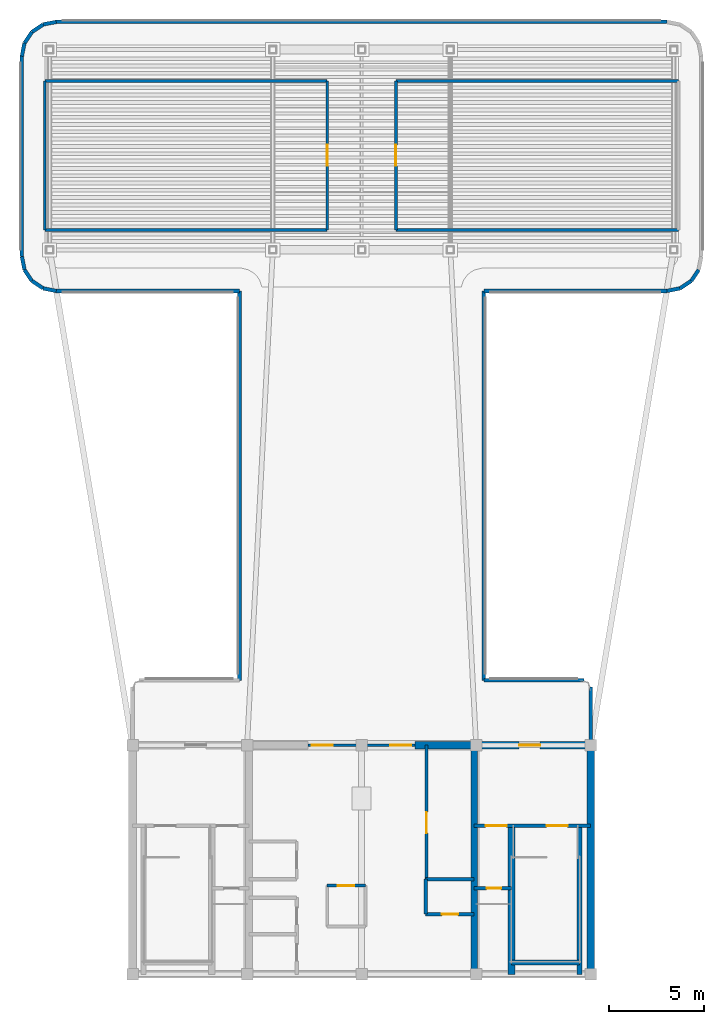
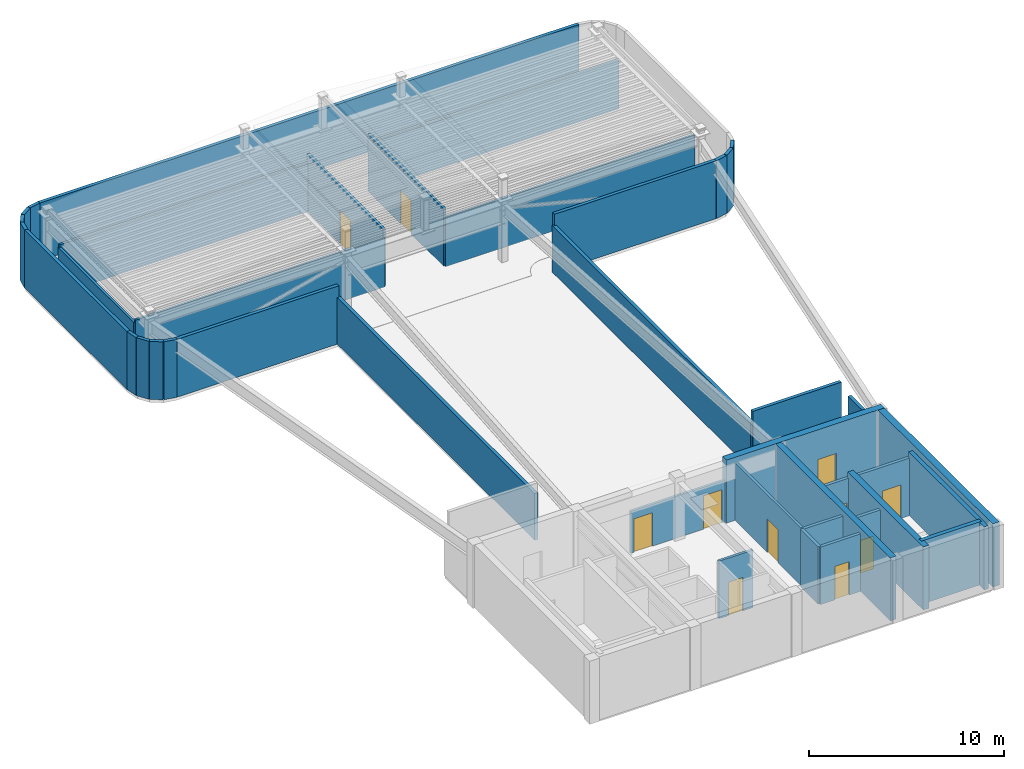
# One storey, part 5 of 7: 40 walls, 11 doors, 11 openings.
"""IFC4 building model written with IfcOpenShell, lengths in metres."""

from ifc_helpers import new_model, si_unit, direction, frame, frame_2d, origin, origin_2d, place, context, subcontext, project, spatial, rectangle, extrude, source, transform, mapped, material, layer, layer_set, type_object, element, fill, save


model = new_model("IFC4")

# Units and contexts
model_context = context("Model", 3, precision=1e-05, world=origin(), true_north=direction((0.0, 1.0)))
body_context = subcontext(model_context, "Body", "Model", "MODEL_VIEW")
ifc_project = project(units=[si_unit("LENGTHUNIT", "METRE"), si_unit("AREAUNIT", "SQUARE_METRE"), si_unit("VOLUMEUNIT", "CUBIC_METRE"), si_unit("PLANEANGLEUNIT", "RADIAN"), si_unit("MASSUNIT", "GRAM", prefix="KILO")], contexts=[model_context])

# Site, building, storey
site_placement = place(None, origin())
site = spatial("IfcSite", under=ifc_project, at=site_placement, CompositionType="ELEMENT")
building_placement = place(site_placement, origin())
building = spatial("IfcBuilding", under=site, at=building_placement, Name="Brelvock Crest Care Tower", CompositionType="ELEMENT")
storey_placement = place(building_placement, frame((0.0, 0.0, 315.719970703125)))
storey = spatial("IfcBuildingStorey", under=building, at=storey_placement, Name="L80", CompositionType="ELEMENT", Elevation=315.719970703125)

# Wall
ifc_material_1 = material(Name="Concrete S65 (65 MPa)", Category="concrete")
ifc_layer_1 = layer(ifc_material_1, 0.39990234375, Name="WL-CS4")
ifc_layer_set_1 = layer_set([ifc_layer_1], Name="Concrete S65 (65 MPa)")
wall_type_1 = type_object("IfcWallType", Name="WL-CS4", PredefinedType="SHEAR", material=ifc_layer_set_1)
wall_1_placement = place(storey_placement, frame((48.0, 18.0, 0.0), z_axis=(0.0, 0.0, 1.0), x_axis=(0.0, -1.0, 0.0)))
element("IfcWall", 1, at=wall_1_placement, inside=storey, type_object=wall_type_1, Name="L80 Core East Shear Wall", PredefinedType="SHEAR", context=body_context, shape_type="SweptSolid", body=[
    extrude(rectangle(XDim=12.0, YDim=0.39990234375, at=frame_2d((6.0, 0.0))), origin(), (0.0, 0.0, 1.0), 3.9599609375),
])

# Wall, opening, door
wall_2_placement = place(storey_placement, frame((38.800048828125, 18.0, 0.0), z_axis=(0.0, 0.0, 1.0), x_axis=(1.0, 0.0, 0.0)))
wall_2 = element("IfcWall", 2, at=wall_2_placement, inside=storey, type_object=wall_type_1, Name="L80 Core North-East Shear Wall", PredefinedType="SHEAR", context=body_context, shape_type="SweptSolid", body=[
    extrude(rectangle(XDim=9.39990234375, YDim=0.39990234375, at=frame_2d((4.699951171875, 0.0))), origin(), (0.0, 0.0, 1.0), 3.9599609375),
])
opening_1_placement = place(wall_2_placement, frame((5.449951171875, 0.0, 0.0)))
opening_1 = element("IfcOpeningElement", 3, at=opening_1_placement, cuts=wall_2, Name="Opening FD-1", PredefinedType="OPENING", context=body_context, shape_type="SweptSolid", body=[
    extrude(rectangle(XDim=1.10009765625, YDim=2.10009765625, at=origin_2d()), frame((0.550048828125, 0.2099609375, 1.050048828125), z_axis=(0.0, -1.0, 0.0), x_axis=(1.0, 0.0, 0.0)), (0.0, 0.0, 1.0), 0.419921875),
])
ifc_material_2 = material(Name="Steel Grade 350", Category="steel")
door_type_1 = type_object("IfcDoorType", Name="DR-FFL1", OperationType="NOTDEFINED", PredefinedType="DOOR", material=ifc_material_2)
shared_shape_1 = source(origin(), body_context, "Body", "SweptSolid", [
    extrude(rectangle(XDim=1.10009765625, YDim=2.10009765625, at=origin_2d()), frame((0.550048828125, 0.02490234375, 1.050048828125), z_axis=(0.0, -1.0, 0.0), x_axis=(1.0, 0.0, 0.0)), (0.0, 0.0, 1.0), 0.050048828125),
])
door_1_placement = place(opening_1_placement, origin())
door_1 = element("IfcDoor", 4, at=door_1_placement, inside=storey, type_object=door_type_1, Name="L80 Firefighting Lobby FFL-2 Exit Door", OperationType="SINGLE_SWING_RIGHT", OverallHeight=2.10009765625, OverallWidth=1.10009765625, PredefinedType="DOOR", context=body_context, shape_type="MappedRepresentation", body=[
    mapped(shared_shape_1, transform((0.0, 0.0, 0.0), x_axis=(1.0, 0.0, 0.0), y_axis=(0.0, 1.0, 0.0), z_axis=(0.0, 0.0, 1.0), scale=1.0)),
])
fill(opening_1, door_1)

# Walls
ifc_material_3 = material(Name="Concrete S80 (80 MPa)", Category="concrete")
ifc_layer_2 = layer(ifc_material_3, 0.35009765625, Name="WL-CS5")
ifc_layer_set_2 = layer_set([ifc_layer_2], Name="Concrete S80 (80 MPa)")
wall_type_2 = type_object("IfcWallType", Name="WL-CS5", PredefinedType="SHEAR", material=ifc_layer_set_2)
wall_3_placement = place(storey_placement, frame((41.89990234375, 18.0, 0.0), z_axis=(0.0, 0.0, 1.0), x_axis=(0.0, -1.0, 0.0)))
element("IfcWall", 5, at=wall_3_placement, inside=storey, type_object=wall_type_2, Name="L80 Core Internal Web Wall East", PredefinedType="SHEAR", context=body_context, shape_type="SweptSolid", body=[
    extrude(rectangle(XDim=12.0, YDim=0.35009765625, at=frame_2d((6.0, 0.0))), origin(), (0.0, 0.0, 1.0), 3.9599609375),
])
wall_4_placement = place(storey_placement, frame((43.85009765625, 6.0, 0.0), z_axis=(0.0, 0.0, 1.0), x_axis=(0.0, 1.0, 0.0)))
element("IfcWall", 6, at=wall_4_placement, inside=storey, type_object=wall_type_2, Name="L80 Core Stair ST-2 West Shear Wall", PredefinedType="SHEAR", context=body_context, shape_type="SweptSolid", body=[
    extrude(rectangle(XDim=7.780029296875, YDim=0.35009765625, at=frame_2d((3.89013671875, 0.0))), origin(), (0.0, 0.0, 1.0), 3.9599609375),
])
ifc_layer_3 = layer(ifc_material_3, 0.25, Name="WL-CS6")
ifc_layer_set_3 = layer_set([ifc_layer_3], Name="Concrete S80 (80 MPa)")
wall_type_3 = type_object("IfcWallType", Name="WL-CS6", PredefinedType="SHEAR", material=ifc_layer_set_3)
wall_5_placement = place(storey_placement, frame((47.419921875, 6.0, 0.0), z_axis=(0.0, 0.0, 1.0), x_axis=(0.0, 1.0, 0.0)))
element("IfcWall", 7, at=wall_5_placement, inside=storey, type_object=wall_type_3, Name="L80 Core Stair ST-2 East Shear Wall", PredefinedType="SHEAR", context=body_context, shape_type="SweptSolid", body=[
    extrude(rectangle(XDim=7.780029296875, YDim=0.25, at=frame_2d((3.89013671875, 0.0))), origin(), (0.0, 0.0, 1.0), 3.9599609375),
])
wall_6_placement = place(storey_placement, frame((43.85009765625, 6.6201171875, 0.0), z_axis=(0.0, 0.0, 1.0), x_axis=(1.0, 0.0, 0.0)))
element("IfcWall", 8, at=wall_6_placement, inside=storey, type_object=wall_type_3, Name="L80 Core Stair ST-2 South Shear Wall", PredefinedType="SHEAR", context=body_context, shape_type="SweptSolid", body=[
    extrude(rectangle(XDim=3.56982421875, YDim=0.25, at=frame_2d((1.784912109375, 0.0))), origin(), (0.0, 0.0, 1.0), 3.9599609375),
])
ifc_material_4 = material(Name="Precast concrete N40 (40 MPa)", Category="concrete")
ifc_layer_4 = layer(ifc_material_4, 0.195068359375, Name="WL-EX3")
ifc_layer_set_4 = layer_set([ifc_layer_4], Name="Precast concrete N40 (40 MPa)")
wall_type_4 = type_object("IfcWallType", Name="WL-EX3", PredefinedType="SOLIDWALL", material=ifc_layer_set_4)
wall_7_placement = place(storey_placement, frame((48.0, 21.050048828125, 0.0), z_axis=(0.0, 0.0, 1.0), x_axis=(0.0, -1.0, 0.0)))
element("IfcWall", 9, at=wall_7_placement, inside=storey, type_object=wall_type_4, Name="L80 Crown and Plant Cladding Wall 02", PredefinedType="SOLIDWALL", context=body_context, shape_type="SweptSolid", body=[
    extrude(rectangle(XDim=2.77001953125, YDim=0.195068359375, at=frame_2d((1.385009765625, 0.0))), origin(), (0.0, 0.0, 1.0), 2.828125),
])
wall_8_placement = place(storey_placement, frame((29.60009765625, 21.39990234375, 0.0), z_axis=(0.0, 0.0, 1.0), x_axis=(0.0, 1.0, 0.0)))
element("IfcWall", 10, at=wall_8_placement, inside=storey, type_object=wall_type_4, Name="L80 Crown and Plant Cladding Wall 12", PredefinedType="SOLIDWALL", context=body_context, shape_type="SweptSolid", body=[
    extrude(rectangle(XDim=20.400146484375, YDim=0.195068359375, at=frame_2d((10.2001953125, 0.0))), origin(), (0.0, 0.0, 1.0), 2.927978515625),
])
wall_9_placement = place(storey_placement, frame((29.60009765625, 41.800048828125, 0.0), z_axis=(0.0, 0.0, 1.0), x_axis=(-1.0, 0.0, 0.0)))
element("IfcWall", 11, at=wall_9_placement, inside=storey, type_object=wall_type_4, Name="L80 Crown and Plant Cladding Wall 13", PredefinedType="SOLIDWALL", context=body_context, shape_type="SweptSolid", body=[
    extrude(rectangle(XDim=9.60009765625, YDim=0.195068359375, at=frame_2d((4.800048828125, 0.0))), origin(), (0.0, 0.0, 1.0), 3.64013671875),
])
wall_10_placement = place(storey_placement, frame((20.0, 41.800048828125, 0.0), z_axis=(0.0, 0.0, 1.0), x_axis=(-0.980794046625, 0.195046246068, 0.0)))
element("IfcWall", 12, at=wall_10_placement, inside=storey, type_object=wall_type_4, Name="L80 Crown and Plant Cladding Wall 14", PredefinedType="SOLIDWALL", context=body_context, shape_type="SweptSolid", body=[
    extrude(rectangle(XDim=0.7021484375, YDim=0.195068359375, at=frame_2d((0.35107421875, 0.0))), origin(), (0.0, 0.0, 1.0), 3.64013671875),
])
for number, where, z_axis, x_axis, name in (
    (13, (19.311279296875, 41.93701171875, 0.0), (0.0, 0.0, 1.0), (-0.831515102434, 0.555502146192, 0.0), "L80 Crown and Plant Cladding Wall 15"),
    (14, (18.727294921875, 42.3271484375, 0.0), (0.0, 0.0, 1.0), (-0.555742429414, 0.831354528555, 0.0), "L80 Crown and Plant Cladding Wall 16"),
    (15, (18.3369140625, 42.9111328125, 0.0), (0.0, 0.0, 1.0), (-0.194979757801, 0.980807266515, 0.0), "L80 Crown and Plant Cladding Wall 17"),
):
    element("IfcWall", number, at=place(storey_placement, frame(where, z_axis=z_axis, x_axis=x_axis)), inside=storey, type_object=wall_type_4, Name=name, PredefinedType="SOLIDWALL", context=body_context, shape_type="SweptSolid", body=[
        extrude(rectangle(XDim=0.702392578125, YDim=0.195068359375, at=frame_2d((0.35107421875, 0.0))), origin(), (0.0, 0.0, 1.0), 3.64013671875),
    ])
wall_11_placement = place(storey_placement, frame((18.199951171875, 43.60009765625, 0.0), z_axis=(0.0, 0.0, 1.0), x_axis=(0.0, 1.0, 0.0)))
element("IfcWall", 16, at=wall_11_placement, inside=storey, type_object=wall_type_4, Name="L80 Crown and Plant Cladding Wall 18", PredefinedType="SOLIDWALL", context=body_context, shape_type="SweptSolid", body=[
    extrude(rectangle(XDim=10.5, YDim=0.195068359375, at=frame_2d((5.25, 0.0))), origin(), (0.0, 0.0, 1.0), 3.64013671875),
])
wall_12_placement = place(storey_placement, frame((18.199951171875, 54.10009765625, 0.0), z_axis=(0.0, 0.0, 1.0), x_axis=(0.195046246068, 0.980794046625, 0.0)))
element("IfcWall", 17, at=wall_12_placement, inside=storey, type_object=wall_type_4, Name="L80 Crown and Plant Cladding Wall 19", PredefinedType="SOLIDWALL", context=body_context, shape_type="SweptSolid", body=[
    extrude(rectangle(XDim=0.7021484375, YDim=0.195068359375, at=frame_2d((0.35107421875, 0.0))), origin(), (0.0, 0.0, 1.0), 3.64013671875),
])
for number, where, z_axis, x_axis, name in (
    (18, (18.3369140625, 54.788818359375, 0.0), (0.0, 0.0, 1.0), (0.555742429414, 0.831354528555, 0.0), "L80 Crown and Plant Cladding Wall 20"),
    (19, (18.727294921875, 55.372802734375, 0.0), (0.0, 0.0, 1.0), (0.831515102434, 0.555502146192, 0.0), "L80 Crown and Plant Cladding Wall 21"),
):
    element("IfcWall", number, at=place(storey_placement, frame(where, z_axis=z_axis, x_axis=x_axis)), inside=storey, type_object=wall_type_4, Name=name, PredefinedType="SOLIDWALL", context=body_context, shape_type="SweptSolid", body=[
        extrude(rectangle(XDim=0.702392578125, YDim=0.195068359375, at=frame_2d((0.35107421875, 0.0))), origin(), (0.0, 0.0, 1.0), 3.64013671875),
    ])
wall_13_placement = place(storey_placement, frame((19.311279296875, 55.762939453125, 0.0), z_axis=(0.0, 0.0, 1.0), x_axis=(0.980794046625, 0.195046246068, 0.0)))
element("IfcWall", 20, at=wall_13_placement, inside=storey, type_object=wall_type_4, Name="L80 Crown and Plant Cladding Wall 22", PredefinedType="SOLIDWALL", context=body_context, shape_type="SweptSolid", body=[
    extrude(rectangle(XDim=0.7021484375, YDim=0.195068359375, at=frame_2d((0.35107421875, 0.0))), origin(), (0.0, 0.0, 1.0), 3.64013671875),
])
wall_14_placement = place(storey_placement, frame((20.0, 55.89990234375, 0.0), z_axis=(0.0, 0.0, 1.0), x_axis=(1.0, 0.0, 0.0)))
element("IfcWall", 21, at=wall_14_placement, inside=storey, type_object=wall_type_4, Name="L80 Crown and Plant Cladding Wall 23", PredefinedType="SOLIDWALL", context=body_context, shape_type="SweptSolid", body=[
    extrude(rectangle(XDim=32.0, YDim=0.195068359375, at=frame_2d((16.0, 0.0))), origin(), (0.0, 0.0, 1.0), 3.64013671875),
])
for number, where, z_axis, x_axis, name in (
    (22, (53.6630859375, 42.9111328125, 0.0), (0.0, 0.0, 1.0), (-0.555742429414, -0.831354528555, 0.0), "L80 Crown and Plant Cladding Wall 30"),
    (23, (53.272705078125, 42.3271484375, 0.0), (0.0, 0.0, 1.0), (-0.831515102434, -0.555502146192, 0.0), "L80 Crown and Plant Cladding Wall 31"),
):
    element("IfcWall", number, at=place(storey_placement, frame(where, z_axis=z_axis, x_axis=x_axis)), inside=storey, type_object=wall_type_4, Name=name, PredefinedType="SOLIDWALL", context=body_context, shape_type="SweptSolid", body=[
        extrude(rectangle(XDim=0.702392578125, YDim=0.195068359375, at=frame_2d((0.35107421875, 0.0))), origin(), (0.0, 0.0, 1.0), 3.64013671875),
    ])
wall_15_placement = place(storey_placement, frame((52.688720703125, 41.93701171875, 0.0), z_axis=(0.0, 0.0, 1.0), x_axis=(-0.980794046625, -0.195046246068, 0.0)))
element("IfcWall", 24, at=wall_15_placement, inside=storey, type_object=wall_type_4, Name="L80 Crown and Plant Cladding Wall 32", PredefinedType="SOLIDWALL", context=body_context, shape_type="SweptSolid", body=[
    extrude(rectangle(XDim=0.7021484375, YDim=0.195068359375, at=frame_2d((0.35107421875, 0.0))), origin(), (0.0, 0.0, 1.0), 3.64013671875),
])
wall_16_placement = place(storey_placement, frame((52.0, 41.800048828125, 0.0), z_axis=(0.0, 0.0, 1.0), x_axis=(-1.0, 0.0, 0.0)))
element("IfcWall", 25, at=wall_16_placement, inside=storey, type_object=wall_type_4, Name="L80 Crown and Plant Cladding Wall 33", PredefinedType="SOLIDWALL", context=body_context, shape_type="SweptSolid", body=[
    extrude(rectangle(XDim=9.60009765625, YDim=0.195068359375, at=frame_2d((4.800048828125, 0.0))), origin(), (0.0, 0.0, 1.0), 3.64013671875),
])
wall_17_placement = place(storey_placement, frame((42.39990234375, 41.800048828125, 0.0), z_axis=(0.0, 0.0, 1.0), x_axis=(0.0, -1.0, 0.0)))
element("IfcWall", 26, at=wall_17_placement, inside=storey, type_object=wall_type_4, Name="L80 Crown and Plant Cladding Wall 34", PredefinedType="SOLIDWALL", context=body_context, shape_type="SweptSolid", body=[
    extrude(rectangle(XDim=20.400146484375, YDim=0.195068359375, at=frame_2d((10.2001953125, 0.0))), origin(), (0.0, 0.0, 1.0), 2.927978515625),
])
wall_18_placement = place(storey_placement, frame((42.39990234375, 21.39990234375, 0.0), z_axis=(0.0, 0.0, 1.0), x_axis=(1.0, 0.0, 0.0)))
element("IfcWall", 27, at=wall_18_placement, inside=storey, type_object=wall_type_4, Name="L80 Crown and Plant Cladding Wall 35", PredefinedType="SOLIDWALL", context=body_context, shape_type="SweptSolid", body=[
    extrude(rectangle(XDim=5.25, YDim=0.195068359375, at=frame_2d((2.625, 0.0))), origin(), (0.0, 0.0, 1.0), 3.64013671875),
])

# Wall, opening, door
ifc_material_5 = material(Name="Masonry Blockwork Acoustic Partition", Category="masonry")
ifc_layer_5 = layer(ifc_material_5, 0.14990234375, Name="WL-INT1")
ifc_layer_set_5 = layer_set([ifc_layer_5], Name="Masonry Blockwork Acoustic Partition")
wall_type_5 = type_object("IfcWallType", Name="WL-INT1", PredefinedType="PARTITIONING", material=ifc_layer_set_5)
wall_19_placement = place(storey_placement, frame((34.199951171875, 10.64990234375, 0.0), z_axis=(0.0, 0.0, 1.0), x_axis=(1.0, 0.0, 0.0)))
wall_19 = element("IfcWall", 28, at=wall_19_placement, inside=storey, type_object=wall_type_5, Name="L80 Interior Wall WL-CRCM-N-L80", PredefinedType="PARTITIONING", context=body_context, shape_type="SweptSolid", body=[
    extrude(rectangle(XDim=2.0, YDim=0.14990234375, at=frame_2d((1.0, 0.0))), origin(), (0.0, 0.0, 1.0), 3.610107421875),
])
opening_2_placement = place(wall_19_placement, frame((0.550048828125, 0.0, 0.0)))
opening_2 = element("IfcOpeningElement", 29, at=opening_2_placement, cuts=wall_19, Name="Opening ID-1", PredefinedType="OPENING", context=body_context, shape_type="SweptSolid", body=[
    extrude(rectangle(XDim=0.860107421875, YDim=2.10009765625, at=origin_2d()), frame((0.43017578125, 0.0849609375, 1.050048828125), z_axis=(0.0, -1.0, 0.0), x_axis=(1.0, 0.0, 0.0)), (0.0, 0.0, 1.0), 0.169921875),
])
ifc_material_6 = material(Name="Engineered Hardwood Timber", Category="wood")
door_type_2 = type_object("IfcDoorType", Name="DR-INT1", OperationType="NOTDEFINED", PredefinedType="DOOR", material=ifc_material_6)
shared_shape_2 = source(origin(), body_context, "Body", "SweptSolid", [
    extrude(rectangle(XDim=0.860107421875, YDim=2.10009765625, at=origin_2d()), frame((0.43017578125, 0.02490234375, 1.050048828125), z_axis=(0.0, -1.0, 0.0), x_axis=(1.0, 0.0, 0.0)), (0.0, 0.0, 1.0), 0.050048828125),
])
door_2_placement = place(opening_2_placement, origin())
door_2 = element("IfcDoor", 30, at=door_2_placement, inside=storey, type_object=door_type_2, Name="DR-CRCM1-L80", OperationType="SINGLE_SWING_LEFT", OverallHeight=2.10009765625, OverallWidth=0.860107421875, PredefinedType="DOOR", context=body_context, shape_type="MappedRepresentation", body=[
    mapped(shared_shape_2, transform((0.0, 0.0, 0.0), x_axis=(1.0, 0.0, 0.0), y_axis=(0.0, 1.0, 0.0), z_axis=(0.0, 0.0, 1.0), scale=1.0)),
])
fill(opening_2, door_2)

wall_20_placement = place(storey_placement, frame((39.39990234375, 11.0, 0.0), z_axis=(0.0, 0.0, 1.0), x_axis=(0.0, 1.0, 0.0)))
wall_20 = element("IfcWall", 31, at=wall_20_placement, inside=storey, type_object=wall_type_5, Name="L80 Interior Wall WL-CRCH-W-L80", PredefinedType="PARTITIONING", context=body_context, shape_type="SweptSolid", body=[
    extrude(rectangle(XDim=7.0, YDim=0.14990234375, at=frame_2d((3.5, 0.0))), origin(), (0.0, 0.0, 1.0), 3.610107421875),
])
opening_3_placement = place(wall_20_placement, frame((2.39990234375, 0.0, 0.0)))
opening_3 = element("IfcOpeningElement", 32, at=opening_3_placement, cuts=wall_20, Name="Opening PD-1", PredefinedType="OPENING", context=body_context, shape_type="SweptSolid", body=[
    extrude(rectangle(XDim=1.10009765625, YDim=2.10009765625, at=origin_2d()), frame((0.550048828125, 0.0849609375, 1.050048828125), z_axis=(0.0, -1.0, 0.0), x_axis=(1.0, 0.0, 0.0)), (0.0, 0.0, 1.0), 0.169921875),
])
door_type_3 = type_object("IfcDoorType", Name="DR-PLT1", OperationType="NOTDEFINED", PredefinedType="DOOR", material=ifc_material_2)
shared_shape_3 = source(origin(), body_context, "Body", "SweptSolid", [
    extrude(rectangle(XDim=1.10009765625, YDim=2.10009765625, at=origin_2d()), frame((0.550048828125, 0.02490234375, 1.050048828125), z_axis=(0.0, -1.0, 0.0), x_axis=(1.0, 0.0, 0.0)), (0.0, 0.0, 1.0), 0.050048828125),
])
door_3_placement = place(opening_3_placement, origin())
door_3 = element("IfcDoor", 33, at=door_3_placement, inside=storey, type_object=door_type_3, Name="DR-CRCH-L80", OperationType="SINGLE_SWING_RIGHT", OverallHeight=2.10009765625, OverallWidth=1.10009765625, PredefinedType="DOOR", context=body_context, shape_type="MappedRepresentation", body=[
    mapped(shared_shape_3, transform((0.0, 0.0, 0.0), x_axis=(1.0, 0.0, 0.0), y_axis=(0.0, 1.0, 0.0), z_axis=(0.0, 0.0, 1.0), scale=1.0)),
])
fill(opening_3, door_3)

# Wall, openings, doors
wall_21_placement = place(storey_placement, frame((33.199951171875, 18.0, 0.0), z_axis=(0.0, 0.0, 1.0), x_axis=(1.0, 0.0, 0.0)))
wall_21 = element("IfcWall", 34, at=wall_21_placement, inside=storey, type_object=wall_type_5, Name="L80 Interior Wall WL-CORE-NPORT-L80", PredefinedType="PARTITIONING", context=body_context, shape_type="SweptSolid", body=[
    extrude(rectangle(XDim=5.60009765625, YDim=0.14990234375, at=frame_2d((2.800048828125, 0.0))), origin(), (0.0, 0.0, 1.0), 2.625),
])
opening_4_placement = place(wall_21_placement, frame((0.18994140625, 0.0, 0.0)))
opening_4 = element("IfcOpeningElement", 35, at=opening_4_placement, cuts=wall_21, Name="Opening FD-1", PredefinedType="OPENING", context=body_context, shape_type="SweptSolid", body=[
    extrude(rectangle(XDim=1.10009765625, YDim=2.10009765625, at=origin_2d()), frame((0.550048828125, 0.0849609375, 1.050048828125), z_axis=(0.0, -1.0, 0.0), x_axis=(1.0, 0.0, 0.0)), (0.0, 0.0, 1.0), 0.169921875),
])
opening_5_placement = place(wall_21_placement, frame((4.31005859375, 0.0, 0.0)))
opening_5 = element("IfcOpeningElement", 36, at=opening_5_placement, cuts=wall_21, Name="Opening FD-1", PredefinedType="OPENING", context=body_context, shape_type="SweptSolid", body=[
    extrude(rectangle(XDim=1.10009765625, YDim=2.10009765625, at=origin_2d()), frame((0.550048828125, 0.0849609375, 1.050048828125), z_axis=(0.0, -1.0, 0.0), x_axis=(1.0, 0.0, 0.0)), (0.0, 0.0, 1.0), 0.169921875),
])
door_4_placement = place(opening_4_placement, origin())
door_4 = element("IfcDoor", 37, at=door_4_placement, inside=storey, type_object=door_type_1, Name="L80 Lift Lobby North Smoke Door West", OperationType="SINGLE_SWING_LEFT", OverallHeight=2.10009765625, OverallWidth=1.10009765625, PredefinedType="DOOR", context=body_context, shape_type="MappedRepresentation", body=[
    mapped(shared_shape_1, transform((0.0, 0.0, 0.0), x_axis=(1.0, 0.0, 0.0), y_axis=(0.0, 1.0, 0.0), z_axis=(0.0, 0.0, 1.0), scale=1.0)),
])
fill(opening_4, door_4)
door_5_placement = place(opening_5_placement, origin())
door_5 = element("IfcDoor", 38, at=door_5_placement, inside=storey, type_object=door_type_1, Name="L80 Lift Lobby North Smoke Door East", OperationType="SINGLE_SWING_RIGHT", OverallHeight=2.10009765625, OverallWidth=1.10009765625, PredefinedType="DOOR", context=body_context, shape_type="MappedRepresentation", body=[
    mapped(shared_shape_1, transform((0.0, 0.0, 0.0), x_axis=(1.0, 0.0, 0.0), y_axis=(0.0, 1.0, 0.0), z_axis=(0.0, 0.0, 1.0), scale=1.0)),
])
fill(opening_5, door_5)

# Walls
for number, where, z_axis, x_axis, name in (
    (39, (19.39990234375, 45.0, 0.0), (0.0, 0.0, 1.0), (1.0, 0.0, 0.0), "L80 Interior Wall WL-BX-L80-CRMW-S"),
    (40, (37.800048828125, 45.0, 0.0), (0.0, 0.0, 1.0), (1.0, 0.0, 0.0), "L80 Interior Wall WL-BX-L80-CRME-S"),
    (41, (19.39990234375, 52.800048828125, 0.0), (0.0, 0.0, 1.0), (1.0, 0.0, 0.0), "L80 Interior Wall WL-BX-L80-CRMW-N"),
    (42, (37.800048828125, 52.800048828125, 0.0), (0.0, 0.0, 1.0), (1.0, 0.0, 0.0), "L80 Interior Wall WL-BX-L80-CRME-N"),
):
    element("IfcWall", number, at=place(storey_placement, frame(where, z_axis=z_axis, x_axis=x_axis)), inside=storey, type_object=wall_type_5, Name=name, PredefinedType="PARTITIONING", context=body_context, shape_type="SweptSolid", body=[
        extrude(rectangle(XDim=14.800048828125, YDim=0.14990234375, at=frame_2d((7.39990234375, 0.0))), origin(), (0.0, 0.0, 1.0), 3.092041015625),
    ])
wall_22_placement = place(storey_placement, frame((19.39990234375, 45.0, 0.0), z_axis=(0.0, 0.0, 1.0), x_axis=(0.0, 1.0, 0.0)))
element("IfcWall", 43, at=wall_22_placement, inside=storey, type_object=wall_type_5, Name="L80 Interior Wall WL-BX-L80-CRMW-W", PredefinedType="PARTITIONING", context=body_context, shape_type="SweptSolid", body=[
    extrude(rectangle(XDim=7.800048828125, YDim=0.14990234375, at=frame_2d((3.89990234375, 0.0))), origin(), (0.0, 0.0, 1.0), 2.925048828125),
])

# Wall, opening, door
wall_23_placement = place(storey_placement, frame((34.199951171875, 45.0, 0.0), z_axis=(0.0, 0.0, 1.0), x_axis=(0.0, 1.0, 0.0)))
wall_23 = element("IfcWall", 44, at=wall_23_placement, inside=storey, type_object=wall_type_5, Name="L80 Interior Wall WL-RM-L80-CRMW", PredefinedType="PARTITIONING", context=body_context, shape_type="SweptSolid", body=[
    extrude(rectangle(XDim=7.800048828125, YDim=0.14990234375, at=frame_2d((3.89990234375, 0.0))), origin(), (0.0, 0.0, 1.0), 3.610107421875),
])
opening_6_placement = place(wall_23_placement, frame((3.35009765625, 0.0, 0.0)))
opening_6 = element("IfcOpeningElement", 45, at=opening_6_placement, cuts=wall_23, Name="Opening PD-1", PredefinedType="OPENING", context=body_context, shape_type="SweptSolid", body=[
    extrude(rectangle(XDim=1.10009765625, YDim=2.10009765625, at=origin_2d()), frame((0.550048828125, 0.0849609375, 1.050048828125), z_axis=(0.0, -1.0, 0.0), x_axis=(1.0, 0.0, 0.0)), (0.0, 0.0, 1.0), 0.169921875),
])
door_6_placement = place(opening_6_placement, origin())
door_6 = element("IfcDoor", 46, at=door_6_placement, inside=storey, type_object=door_type_3, Name="L80 Lift Motor and Cooling Tower Plant Door CRMW", OperationType="SINGLE_SWING_LEFT", OverallHeight=2.10009765625, OverallWidth=1.10009765625, PredefinedType="DOOR", context=body_context, shape_type="MappedRepresentation", body=[
    mapped(shared_shape_3, transform((0.0, 0.0, 0.0), x_axis=(1.0, 0.0, 0.0), y_axis=(0.0, 1.0, 0.0), z_axis=(0.0, 0.0, 1.0), scale=1.0)),
])
fill(opening_6, door_6)

wall_24_placement = place(storey_placement, frame((37.800048828125, 45.0, 0.0), z_axis=(0.0, 0.0, 1.0), x_axis=(0.0, 1.0, 0.0)))
wall_24 = element("IfcWall", 47, at=wall_24_placement, inside=storey, type_object=wall_type_5, Name="L80 Interior Wall WL-RM-L80-CRME", PredefinedType="PARTITIONING", context=body_context, shape_type="SweptSolid", body=[
    extrude(rectangle(XDim=7.800048828125, YDim=0.14990234375, at=frame_2d((3.89990234375, 0.0))), origin(), (0.0, 0.0, 1.0), 3.610107421875),
])
opening_7_placement = place(wall_24_placement, frame((3.35009765625, 0.0, 0.0)))
opening_7 = element("IfcOpeningElement", 48, at=opening_7_placement, cuts=wall_24, Name="Opening PD-1", PredefinedType="OPENING", context=body_context, shape_type="SweptSolid", body=[
    extrude(rectangle(XDim=1.10009765625, YDim=2.10009765625, at=origin_2d()), frame((0.550048828125, 0.0849609375, 1.050048828125), z_axis=(0.0, -1.0, 0.0), x_axis=(1.0, 0.0, 0.0)), (0.0, 0.0, 1.0), 0.169921875),
])
door_7_placement = place(opening_7_placement, origin())
door_7 = element("IfcDoor", 49, at=door_7_placement, inside=storey, type_object=door_type_3, Name="L80 BMU Winch and Pressurisation Plant Door CRME", OperationType="SINGLE_SWING_LEFT", OverallHeight=2.10009765625, OverallWidth=1.10009765625, PredefinedType="DOOR", context=body_context, shape_type="MappedRepresentation", body=[
    mapped(shared_shape_3, transform((0.0, 0.0, 0.0), x_axis=(1.0, 0.0, 0.0), y_axis=(0.0, 1.0, 0.0), z_axis=(0.0, 0.0, 1.0), scale=1.0)),
])
fill(opening_7, door_7)

# Walls
ifc_layer_6 = layer(ifc_material_5, 0.179931640625, Name="WL-SHF1")
ifc_layer_set_6 = layer_set([ifc_layer_6], Name="Masonry Blockwork Acoustic Partition")
wall_type_6 = type_object("IfcWallType", Name="WL-SHF1", PredefinedType="PARTITIONING", material=ifc_layer_set_6)
wall_25_placement = place(storey_placement, frame((39.35009765625, 10.97998046875, 0.0), z_axis=(0.0, 0.0, 1.0), x_axis=(1.0, 0.0, 0.0)))
element("IfcWall", 50, at=wall_25_placement, inside=storey, type_object=wall_type_6, Name="L80 Interior Wall WL-CSBE-N-L80", PredefinedType="PARTITIONING", context=body_context, shape_type="SweptSolid", body=[
    extrude(rectangle(XDim=2.5498046875, YDim=0.179931640625, at=frame_2d((1.27490234375, 0.0))), origin(), (0.0, 0.0, 1.0), 3.610107421875),
])
wall_26_placement = place(storey_placement, frame((39.35009765625, 9.14990234375, 0.0), z_axis=(0.0, 0.0, 1.0), x_axis=(0.0, 1.0, 0.0)))
element("IfcWall", 51, at=wall_26_placement, inside=storey, type_object=wall_type_6, Name="L80 Interior Wall WL-CSBE-W-L80", PredefinedType="PARTITIONING", context=body_context, shape_type="SweptSolid", body=[
    extrude(rectangle(XDim=1.830078125, YDim=0.179931640625, at=frame_2d((0.9150390625, 0.0))), origin(), (0.0, 0.0, 1.0), 3.610107421875),
])

# Wall, opening, door
wall_27_placement = place(storey_placement, frame((39.35009765625, 9.14990234375, 0.0), z_axis=(0.0, 0.0, 1.0), x_axis=(1.0, 0.0, 0.0)))
wall_27 = element("IfcWall", 52, at=wall_27_placement, inside=storey, type_object=wall_type_6, Name="L80 Interior Wall WL-CSBE-S-L80", PredefinedType="PARTITIONING", context=body_context, shape_type="SweptSolid", body=[
    extrude(rectangle(XDim=2.5498046875, YDim=0.179931640625, at=frame_2d((1.27490234375, 0.0))), origin(), (0.0, 0.0, 1.0), 3.610107421875),
])
opening_8_placement = place(wall_27_placement, frame((0.85009765625, 0.0, 0.0)))
opening_8 = element("IfcOpeningElement", 53, at=opening_8_placement, cuts=wall_27, Name="Opening ID-1", PredefinedType="OPENING", context=body_context, shape_type="SweptSolid", body=[
    extrude(rectangle(XDim=0.860107421875, YDim=2.10009765625, at=origin_2d()), frame((0.43017578125, 0.10009765625, 1.050048828125), z_axis=(0.0, -1.0, 0.0), x_axis=(1.0, 0.0, 0.0)), (0.0, 0.0, 1.0), 0.199951171875),
])
door_8_placement = place(opening_8_placement, origin())
door_8 = element("IfcDoor", 54, at=door_8_placement, inside=storey, type_object=door_type_2, Name="DR-CSBE-L80", OperationType="SINGLE_SWING_LEFT", OverallHeight=2.10009765625, OverallWidth=0.860107421875, PredefinedType="DOOR", context=body_context, shape_type="MappedRepresentation", body=[
    mapped(shared_shape_2, transform((0.0, 0.0, 0.0), x_axis=(1.0, 0.0, 0.0), y_axis=(0.0, 1.0, 0.0), z_axis=(0.0, 0.0, 1.0), scale=1.0)),
])
fill(opening_8, door_8)

# Wall, openings, doors
wall_28_placement = place(storey_placement, frame((41.89990234375, 13.780029296875, 0.0), z_axis=(0.0, 0.0, 1.0), x_axis=(1.0, 0.0, 0.0)))
wall_28 = element("IfcWall", 55, at=wall_28_placement, inside=storey, type_object=wall_type_6, Name="L80 Interior Wall WL-ST2-N-L80", PredefinedType="PARTITIONING", context=body_context, shape_type="SweptSolid", body=[
    extrude(rectangle(XDim=6.10009765625, YDim=0.179931640625, at=frame_2d((3.050048828125, 0.0))), origin(), (0.0, 0.0, 1.0), 3.610107421875),
])
opening_9_placement = place(wall_28_placement, frame((0.60009765625, 0.0, 0.0)))
opening_9 = element("IfcOpeningElement", 56, at=opening_9_placement, cuts=wall_28, Name="Opening LD", PredefinedType="OPENING", context=body_context, shape_type="SweptSolid", body=[
    extrude(rectangle(XDim=1.10009765625, YDim=2.10009765625, at=origin_2d()), frame((0.550048828125, 0.10009765625, 1.050048828125), z_axis=(0.0, -1.0, 0.0), x_axis=(1.0, 0.0, 0.0)), (0.0, 0.0, 1.0), 0.199951171875),
])
opening_10_placement = place(wall_28_placement, frame((3.800048828125, 0.0, 0.0)))
opening_10 = element("IfcOpeningElement", 57, at=opening_10_placement, cuts=wall_28, Name="Opening SD-1", PredefinedType="OPENING", context=body_context, shape_type="SweptSolid", body=[
    extrude(rectangle(XDim=1.10009765625, YDim=2.10009765625, at=origin_2d()), frame((0.550048828125, 0.10009765625, 1.050048828125), z_axis=(0.0, -1.0, 0.0), x_axis=(1.0, 0.0, 0.0)), (0.0, 0.0, 1.0), 0.199951171875),
])
door_type_4 = type_object("IfcDoorType", Name="DR-ST1", OperationType="NOTDEFINED", PredefinedType="DOOR", material=ifc_material_2)
shared_shape_4 = source(origin(), body_context, "Body", "SweptSolid", [
    extrude(rectangle(XDim=1.10009765625, YDim=2.10009765625, at=origin_2d()), frame((0.550048828125, 0.02490234375, 1.050048828125), z_axis=(0.0, -1.0, 0.0), x_axis=(1.0, 0.0, 0.0)), (0.0, 0.0, 1.0), 0.050048828125),
])
door_9_placement = place(opening_10_placement, origin())
door_9 = element("IfcDoor", 58, at=door_9_placement, inside=storey, type_object=door_type_4, Name="L80 Fire Stair ST-2 Door", OperationType="SINGLE_SWING_RIGHT", OverallHeight=2.10009765625, OverallWidth=1.10009765625, PredefinedType="DOOR", context=body_context, shape_type="MappedRepresentation", body=[
    mapped(shared_shape_4, transform((0.0, 0.0, 0.0), x_axis=(1.0, 0.0, 0.0), y_axis=(0.0, 1.0, 0.0), z_axis=(0.0, 0.0, 1.0), scale=1.0)),
])
fill(opening_10, door_9)
door_type_5 = type_object("IfcDoorType", Name="DR-LD1", OperationType="NOTDEFINED", PredefinedType="DOOR", material=ifc_material_2)
shared_shape_5 = source(origin(), body_context, "Body", "SweptSolid", [
    extrude(rectangle(XDim=1.10009765625, YDim=2.10009765625, at=origin_2d()), frame((0.550048828125, 0.02490234375, 1.050048828125), z_axis=(0.0, -1.0, 0.0), x_axis=(1.0, 0.0, 0.0)), (0.0, 0.0, 1.0), 0.050048828125),
])
door_10_placement = place(opening_9_placement, origin())
door_10 = element("IfcDoor", 59, at=door_10_placement, inside=storey, type_object=door_type_5, Name="L80 Firefighting Lift FFL-2 Landing Door", OperationType="SLIDING_TO_RIGHT", OverallHeight=2.10009765625, OverallWidth=1.10009765625, PredefinedType="DOOR", context=body_context, shape_type="MappedRepresentation", body=[
    mapped(shared_shape_5, transform((0.0, 0.0, 0.0), x_axis=(1.0, 0.0, 0.0), y_axis=(0.0, 1.0, 0.0), z_axis=(0.0, 0.0, 1.0), scale=1.0)),
])
fill(opening_9, door_10)

# Wall, opening, door
wall_29_placement = place(storey_placement, frame((41.89990234375, 10.5, 0.0), z_axis=(0.0, 0.0, 1.0), x_axis=(1.0, 0.0, 0.0)))
wall_29 = element("IfcWall", 60, at=wall_29_placement, inside=storey, type_object=wall_type_6, Name="L80 Interior Wall WL-FFH2-S-L80", PredefinedType="PARTITIONING", context=body_context, shape_type="SweptSolid", body=[
    extrude(rectangle(XDim=1.9501953125, YDim=0.179931640625, at=frame_2d((0.97509765625, 0.0))), origin(), (0.0, 0.0, 1.0), 3.610107421875),
])
opening_11_placement = place(wall_29_placement, frame((0.64990234375, 0.0, 0.0)))
opening_11 = element("IfcOpeningElement", 61, at=opening_11_placement, cuts=wall_29, Name="Opening RD-1", PredefinedType="OPENING", context=body_context, shape_type="SweptSolid", body=[
    extrude(rectangle(XDim=0.760009765625, YDim=2.050048828125, at=origin_2d()), frame((0.3798828125, 0.10009765625, 1.02490234375), z_axis=(0.0, -1.0, 0.0), x_axis=(1.0, 0.0, 0.0)), (0.0, 0.0, 1.0), 0.199951171875),
])
door_type_6 = type_object("IfcDoorType", Name="DR-RIS1", OperationType="NOTDEFINED", PredefinedType="DOOR", material=ifc_material_2)
shared_shape_6 = source(origin(), body_context, "Body", "SweptSolid", [
    extrude(rectangle(XDim=0.760009765625, YDim=2.050048828125, at=origin_2d()), frame((0.3798828125, 0.02490234375, 1.02490234375), z_axis=(0.0, -1.0, 0.0), x_axis=(1.0, 0.0, 0.0)), (0.0, 0.0, 1.0), 0.050048828125),
])
door_11_placement = place(opening_11_placement, origin())
door_11 = element("IfcDoor", 62, at=door_11_placement, inside=storey, type_object=door_type_6, Name="L80 East Riser Access Door", OperationType="SINGLE_SWING_RIGHT", OverallHeight=2.050048828125, OverallWidth=0.760009765625, PredefinedType="DOOR", context=body_context, shape_type="MappedRepresentation", body=[
    mapped(shared_shape_6, transform((0.0, 0.0, 0.0), x_axis=(1.0, 0.0, 0.0), y_axis=(0.0, 1.0, 0.0), z_axis=(0.0, 0.0, 1.0), scale=1.0)),
])
fill(opening_11, door_11)

save(model, "model.ifc")
